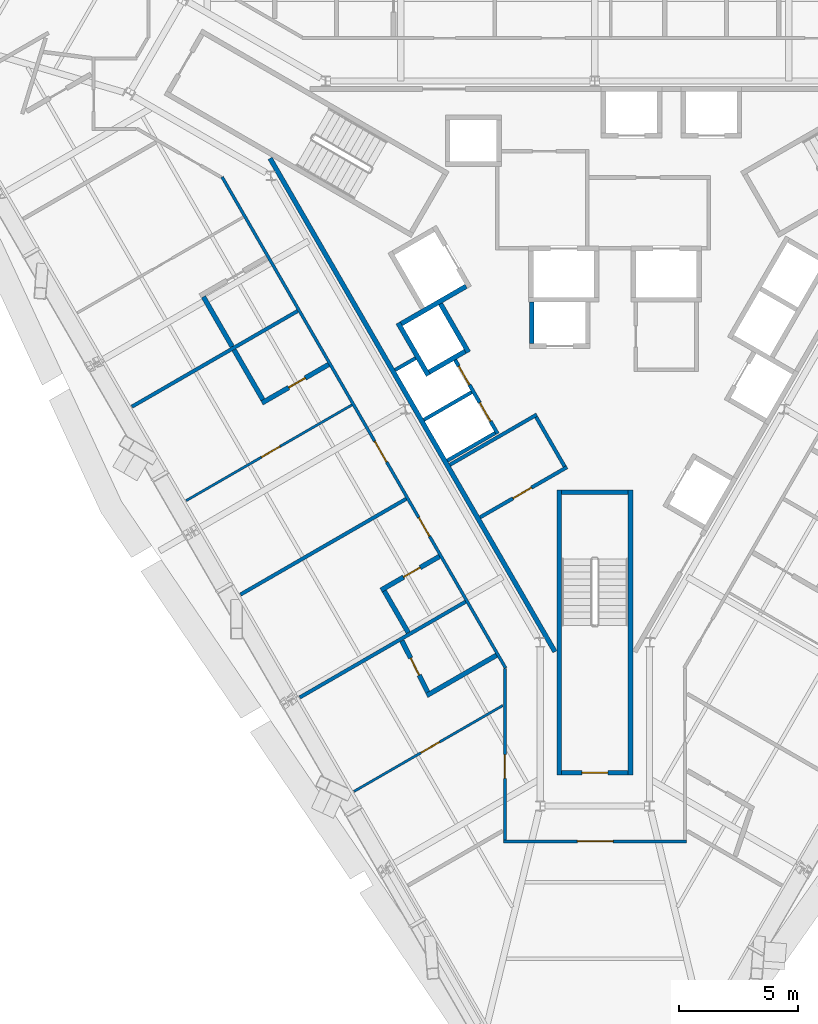
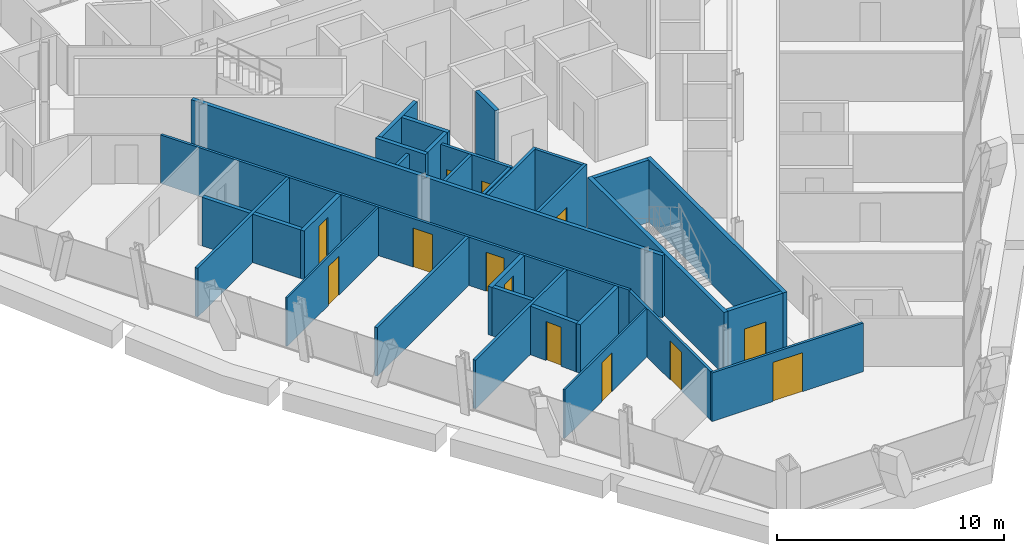
# One storey, part 8 of 14: 32 walls, 13 doors, 13 openings.
"""IFC4 building model written with IfcOpenShell, lengths in metres."""

from ifc_helpers import new_model, si_unit, direction, frame, frame_2d, origin, place, context, subcontext, project, spatial, rectangle, extrude, material, layer, layer_set, type_object, element, fill, save


model = new_model("IFC4")

# Units and contexts
model_context = context("Model", 3, precision=1e-05, world=origin(), true_north=direction((0.0, 1.0)))
body_context = subcontext(model_context, "Body", "Model", "MODEL_VIEW")
ifc_project = project(units=[si_unit("LENGTHUNIT", "METRE"), si_unit("AREAUNIT", "SQUARE_METRE"), si_unit("VOLUMEUNIT", "CUBIC_METRE"), si_unit("PLANEANGLEUNIT", "RADIAN"), si_unit("MASSUNIT", "GRAM", prefix="KILO")], contexts=[model_context])

# Site, building, storey
site_placement = place(None, origin())
site = spatial("IfcSite", under=ifc_project, at=site_placement, CompositionType="ELEMENT")
building_placement = place(site_placement, origin())
building = spatial("IfcBuilding", under=site, at=building_placement, Name="Verrane Prism Tower", CompositionType="ELEMENT")
storey_placement = place(building_placement, frame((0.0, 0.0, 128.800048828125)))
storey = spatial("IfcBuildingStorey", under=building, at=storey_placement, Name="L31", CompositionType="ELEMENT", Elevation=128.800048828125)

# Wall
ifc_material_1 = material(Name="Gypsum board partition", Category="other")
ifc_layer_1 = layer(ifc_material_1, 0.199951171875)
ifc_layer_set_1 = layer_set([ifc_layer_1], Name="CW-200 core boundary wall 2 h")
wall_type_1 = type_object("IfcWallType", Name="CW-200 core boundary wall 2 h", PredefinedType="PARTITIONING", material=ifc_layer_set_1)
wall_1_placement = place(storey_placement, frame((-13.66357421875, 5.946044921875, 0.0), z_axis=(0.0, 0.0, 1.0), x_axis=(0.499994327219, -0.866028678941, 0.0)))
element("IfcWall", 1, at=wall_1_placement, inside=storey, type_object=wall_type_1, Name="Core boundary wall CW3-001", PredefinedType="PARTITIONING", context=body_context, shape_type="SweptSolid", body=[
    extrude(rectangle(XDim=23.967529296875, YDim=0.199951171875, at=frame_2d((11.98388671875, 0.0))), origin(), (0.0, 0.0, 1.0), 3.349853515625),
])

# Wall, opening, door
ifc_material_2 = material(Name="Concrete C40/50", Category="concrete")
ifc_layer_2 = layer(ifc_material_2, 0.199951171875)
ifc_layer_set_2 = layer_set([ifc_layer_2], Name="CW-200 stair core wall concrete C40/50 3 h")
wall_type_2 = type_object("IfcWallType", Name="CW-200 stair core wall concrete C40/50 3 h", PredefinedType="PARTITIONING", material=ifc_layer_set_2)
wall_2_placement = place(storey_placement, frame((-1.39990234375, -19.89990234375, 0.0), z_axis=(0.0, 0.0, 1.0), x_axis=(1.0, 0.0, 0.0)))
wall_2 = element("IfcWall", 2, at=wall_2_placement, inside=storey, type_object=wall_type_2, Name="Stair 3 enclosure wall", PredefinedType="PARTITIONING", context=body_context, shape_type="SweptSolid", body=[
    extrude(rectangle(XDim=2.7998046875, YDim=0.199951171875, at=frame_2d((1.39990234375, 0.0))), origin(), (0.0, 0.0, 1.0), 3.349853515625),
])
opening_1_placement = place(wall_2_placement, frame((0.85009765625, 0.0, 0.0)))
opening_1 = element("IfcOpeningElement", 3, at=opening_1_placement, cuts=wall_2, Name="Opening D29502", PredefinedType="OPENING", context=body_context, shape_type="SweptSolid", body=[
    extrude(rectangle(XDim=1.10009765625, YDim=2.10009765625, at=frame_2d((0.550048828125, 1.050048828125))), frame((0.0, 0.10986328125, 0.0), z_axis=(0.0, -1.0, 0.0), x_axis=(1.0, 0.0, 0.0)), (0.0, 0.0, 1.0), 0.219970703125),
])
ifc_material_3 = material(Name="Timber veneered door leaf", Category="wood")
door_type_1 = type_object("IfcDoorType", Name="DR-1100x2100 FD90 single leaf stair", OperationType="NOTDEFINED", PredefinedType="DOOR", material=ifc_material_3)
door_1_placement = place(opening_1_placement, origin())
door_1 = element("IfcDoor", 4, at=door_1_placement, inside=storey, type_object=door_type_1, Name="Stair 3 door", OperationType="SINGLE_SWING_LEFT", OverallHeight=2.10009765625, OverallWidth=1.10009765625, PredefinedType="DOOR", context=body_context, shape_type="SweptSolid", body=[
    extrude(rectangle(XDim=1.10009765625, YDim=2.10009765625, at=frame_2d((0.550048828125, 1.050048828125))), frame((0.0, 0.02490234375, 0.0), z_axis=(0.0, -1.0, 0.0), x_axis=(1.0, 0.0, 0.0)), (0.0, 0.0, 1.0), 0.050048828125),
])
fill(opening_1, door_1)

# Walls
for number, where, z_axis, x_axis, name in (
    (5, (1.5, -8.0, 0.0), (0.0, 0.0, 1.0), (0.0, -1.0, 0.0), "Stair 3 enclosure wall"),
    (6, (-1.5, -8.0, 0.0), (0.0, 0.0, 1.0), (0.0, -1.0, 0.0), "Stair 3 enclosure wall"),
):
    element("IfcWall", number, at=place(storey_placement, frame(where, z_axis=z_axis, x_axis=x_axis)), inside=storey, type_object=wall_type_2, Name=name, PredefinedType="PARTITIONING", context=body_context, shape_type="SweptSolid", body=[
        extrude(rectangle(XDim=12.0, YDim=0.199951171875, at=frame_2d((6.0, 0.0))), origin(), (0.0, 0.0, 1.0), 3.349853515625),
    ])
wall_3_placement = place(storey_placement, frame((-1.39990234375, -8.10009765625, 0.0), z_axis=(0.0, 0.0, 1.0), x_axis=(1.0, 0.0, 0.0)))
element("IfcWall", 7, at=wall_3_placement, inside=storey, type_object=wall_type_2, Name="Stair 3 enclosure wall", PredefinedType="PARTITIONING", context=body_context, shape_type="SweptSolid", body=[
    extrude(rectangle(XDim=2.7998046875, YDim=0.199951171875, at=frame_2d((1.39990234375, 0.0))), origin(), (0.0, 0.0, 1.0), 3.349853515625),
])
ifc_material_4 = material(Name="Gypsum board shaft wall assembly", Category="other")
ifc_layer_3 = layer(ifc_material_4, 0.199951171875)
ifc_layer_set_3 = layer_set([ifc_layer_3], Name="HW-200 lift shaft wall 2 h")
wall_type_3 = type_object("IfcWallType", Name="HW-200 lift shaft wall 2 h", PredefinedType="PARTITIONING", material=ifc_layer_set_3)
wall_4_placement = place(storey_placement, frame((-6.9697265625, -3.048095703125, 0.0), z_axis=(0.0, 0.0, 1.0), x_axis=(0.866036909293, 0.499980071345, 0.0)))
element("IfcWall", 8, at=wall_4_placement, inside=storey, type_object=wall_type_3, Name="Lift shaft wall", PredefinedType="PARTITIONING", context=body_context, shape_type="SweptSolid", body=[
    extrude(rectangle(XDim=1.75, YDim=0.199951171875, at=frame_2d((0.875, 0.0))), origin(), (0.0, 0.0, 1.0), 3.599853515625),
])
wall_5_placement = place(storey_placement, frame((-8.14453125, -1.012939453125, 0.0), z_axis=(0.0, 0.0, 1.0), x_axis=(0.866016494683, 0.500015430699, 0.0)))
element("IfcWall", 9, at=wall_5_placement, inside=storey, type_object=wall_type_3, Name="Lift shaft wall", PredefinedType="PARTITIONING", context=body_context, shape_type="SweptSolid", body=[
    extrude(rectangle(XDim=3.14990234375, YDim=0.199951171875, at=frame_2d((1.574951171875, 0.0))), origin(), (0.0, 0.0, 1.0), 3.599853515625),
])
wall_6_placement = place(storey_placement, frame((-2.655029296875, -1.85009765625, 0.0), z_axis=(0.0, 0.0, 1.0), x_axis=(0.0, 1.0, 0.0)))
element("IfcWall", 10, at=wall_6_placement, inside=storey, type_object=wall_type_3, Name="Lift shaft wall", PredefinedType="PARTITIONING", context=body_context, shape_type="SweptSolid", body=[
    extrude(rectangle(XDim=1.75, YDim=0.199951171875, at=frame_2d((0.875, 0.0))), origin(), (0.0, 0.0, 1.0), 3.599853515625),
])
wall_7_placement = place(storey_placement, frame((-5.317626953125, -2.209716796875, 0.0), z_axis=(0.0, 0.0, 1.0), x_axis=(-0.499938297808, 0.866061024631, 0.0)))
element("IfcWall", 11, at=wall_7_placement, inside=storey, type_object=wall_type_3, Name="Lift shaft wall", PredefinedType="PARTITIONING", context=body_context, shape_type="SweptSolid", body=[
    extrude(rectangle(XDim=2.349853515625, YDim=0.199951171875, at=frame_2d((1.1748046875, 0.0))), origin(), (0.0, 0.0, 1.0), 3.599853515625),
])
wall_8_placement = place(storey_placement, frame((-7.00634765625, -3.184814453125, 0.0), z_axis=(0.0, 0.0, 1.0), x_axis=(-0.499990435942, 0.866030925526, 0.0)))
element("IfcWall", 12, at=wall_8_placement, inside=storey, type_object=wall_type_3, Name="Lift shaft wall", PredefinedType="PARTITIONING", context=body_context, shape_type="SweptSolid", body=[
    extrude(rectangle(XDim=2.5498046875, YDim=0.199951171875, at=frame_2d((1.27490234375, 0.0))), origin(), (0.0, 0.0, 1.0), 3.599853515625),
])

# Wall, opening, door
ifc_material_5 = material(Name="Gypsum board partition", Category="other")
ifc_layer_4 = layer(ifc_material_5, 0.10009765625)
ifc_layer_set_4 = layer_set([ifc_layer_4], Name="PW-100 room partition")
wall_type_4 = type_object("IfcWallType", Name="PW-100 room partition", PredefinedType="PARTITIONING", material=ifc_layer_set_4)
wall_9_placement = place(storey_placement, frame((-17.191650390625, -8.452880859375, 0.0), z_axis=(0.0, 0.0, 1.0), x_axis=(0.865999665789, 0.500044576866, 0.0)))
wall_9 = element("IfcWall", 13, at=wall_9_placement, inside=storey, type_object=wall_type_4, Name="Room partition 015", PredefinedType="PARTITIONING", context=body_context, shape_type="SweptSolid", body=[
    extrude(rectangle(XDim=8.047607421875, YDim=0.10009765625, at=frame_2d((4.02392578125, 0.0))), origin(), (0.0, 0.0, 1.0), 2.613037109375),
])
opening_2_placement = place(wall_9_placement, frame((3.65380859375, 0.0, 0.0)))
opening_2 = element("IfcOpeningElement", 14, at=opening_2_placement, cuts=wall_9, Name="Opening D29020", PredefinedType="OPENING", context=body_context, shape_type="SweptSolid", body=[
    extrude(rectangle(XDim=0.89990234375, YDim=2.10009765625, at=frame_2d((0.449951171875, 1.050048828125))), frame((0.0, 0.06005859375, 0.0), z_axis=(0.0, -1.0, 0.0), x_axis=(1.0, 0.0, 0.0)), (0.0, 0.0, 1.0), 0.1201171875),
])
ifc_material_6 = material(Name="Timber veneered door leaf", Category="wood")
door_type_2 = type_object("IfcDoorType", Name="DR-900x2100 single leaf inner", OperationType="NOTDEFINED", PredefinedType="DOOR", material=ifc_material_6)
door_2_placement = place(opening_2_placement, origin())
door_2 = element("IfcDoor", 15, at=door_2_placement, inside=storey, type_object=door_type_2, Name="Suite Living Room door", OperationType="SINGLE_SWING_RIGHT", OverallHeight=2.10009765625, OverallWidth=0.89990234375, PredefinedType="DOOR", context=body_context, shape_type="SweptSolid", body=[
    extrude(rectangle(XDim=0.89990234375, YDim=2.10009765625, at=frame_2d((0.449951171875, 1.050048828125))), frame((0.0, 0.02490234375, 0.0), z_axis=(0.0, -1.0, 0.0), x_axis=(1.0, 0.0, 0.0)), (0.0, 0.0, 1.0), 0.050048828125),
])
fill(opening_2, door_2)

wall_10_placement = place(storey_placement, frame((-10.1298828125, -20.68408203125, 0.0), z_axis=(0.0, 0.0, 1.0), x_axis=(0.866023480589, 0.500003331057, 0.0)))
wall_10 = element("IfcWall", 16, at=wall_10_placement, inside=storey, type_object=wall_type_4, Name="Room partition 031", PredefinedType="PARTITIONING", context=body_context, shape_type="SweptSolid", body=[
    extrude(rectangle(XDim=7.22314453125, YDim=0.10009765625, at=frame_2d((3.611572265625, 0.0))), origin(), (0.0, 0.0, 1.0), 2.613037109375),
])
opening_3_placement = place(wall_10_placement, frame((3.25390625, 0.0, 0.0)))
opening_3 = element("IfcOpeningElement", 17, at=opening_3_placement, cuts=wall_10, Name="Opening D29025", PredefinedType="OPENING", context=body_context, shape_type="SweptSolid", body=[
    extrude(rectangle(XDim=0.89990234375, YDim=2.10009765625, at=frame_2d((0.449951171875, 1.050048828125))), frame((0.0, 0.06005859375, 0.0), z_axis=(0.0, -1.0, 0.0), x_axis=(1.0, 0.0, 0.0)), (0.0, 0.0, 1.0), 0.1201171875),
])
door_3_placement = place(opening_3_placement, origin())
door_3 = element("IfcDoor", 18, at=door_3_placement, inside=storey, type_object=door_type_2, Name="Suite Living Room door", OperationType="SINGLE_SWING_LEFT", OverallHeight=2.10009765625, OverallWidth=0.89990234375, PredefinedType="DOOR", context=body_context, shape_type="SweptSolid", body=[
    extrude(rectangle(XDim=0.89990234375, YDim=2.10009765625, at=frame_2d((0.449951171875, 1.050048828125))), frame((0.0, 0.02490234375, 0.0), z_axis=(0.0, -1.0, 0.0), x_axis=(1.0, 0.0, 0.0)), (0.0, 0.0, 1.0), 0.050048828125),
])
fill(opening_3, door_3)

# Wall, openings, doors
ifc_material_7 = material(Name="Gypsum board partition", Category="other")
ifc_layer_5 = layer(ifc_material_7, 0.125)
ifc_layer_set_5 = layer_set([ifc_layer_5], Name="PW-125 corridor wall 1 h")
wall_type_5 = type_object("IfcWallType", Name="PW-125 corridor wall 1 h", PredefinedType="PARTITIONING", material=ifc_layer_set_5)
wall_11_placement = place(storey_placement, frame((-3.755859375, -15.494140625, 0.0), z_axis=(0.0, 0.0, 1.0), x_axis=(-0.500027787016, 0.866009360349, 0.0)))
wall_11 = element("IfcWall", 19, at=wall_11_placement, inside=storey, type_object=wall_type_5, Name="Corridor wall 021", PredefinedType="PARTITIONING", context=body_context, shape_type="SweptSolid", body=[
    extrude(rectangle(XDim=23.855712890625, YDim=0.125, at=frame_2d((11.927734375, 0.0))), origin(), (0.0, 0.0, 1.0), 2.613037109375),
])
opening_4_placement = place(wall_11_placement, frame((10.01611328125, 0.0, 0.0)))
opening_4 = element("IfcOpeningElement", 20, at=opening_4_placement, cuts=wall_11, Name="Opening D29019", PredefinedType="OPENING", context=body_context, shape_type="SweptSolid", body=[
    extrude(rectangle(XDim=1.0, YDim=2.10009765625, at=frame_2d((0.5, 1.050048828125))), frame((0.0, 0.072509765625, 0.0), z_axis=(0.0, -1.0, 0.0), x_axis=(1.0, 0.0, 0.0)), (0.0, 0.0, 1.0), 0.14501953125),
])
opening_5_placement = place(wall_11_placement, frame((6.402099609375, 0.0, 0.0)))
opening_5 = element("IfcOpeningElement", 21, at=opening_5_placement, cuts=wall_11, Name="Opening D29022", PredefinedType="OPENING", context=body_context, shape_type="SweptSolid", body=[
    extrude(rectangle(XDim=0.89990234375, YDim=2.10009765625, at=frame_2d((0.449951171875, 1.050048828125))), frame((0.0, 0.072509765625, 0.0), z_axis=(0.0, -1.0, 0.0), x_axis=(1.0, 0.0, 0.0)), (0.0, 0.0, 1.0), 0.14501953125),
])
ifc_material_8 = material(Name="Timber veneered door leaf", Category="wood")
door_type_3 = type_object("IfcDoorType", Name="DR-1000x2100 FD20 single leaf unit", OperationType="NOTDEFINED", PredefinedType="DOOR", material=ifc_material_8)
door_4_placement = place(opening_4_placement, origin())
door_4 = element("IfcDoor", 22, at=door_4_placement, inside=storey, type_object=door_type_3, Name="Suite Living Room door", OperationType="SINGLE_SWING_RIGHT", OverallHeight=2.10009765625, OverallWidth=1.0, PredefinedType="DOOR", context=body_context, shape_type="SweptSolid", body=[
    extrude(rectangle(XDim=1.0, YDim=2.10009765625, at=frame_2d((0.5, 1.050048828125))), frame((0.0, 0.02490234375, 0.0), z_axis=(0.0, -1.0, 0.0), x_axis=(1.0, 0.0, 0.0)), (0.0, 0.0, 1.0), 0.050048828125),
])
fill(opening_4, door_4)
ifc_material_9 = material(Name="Timber veneered door leaf", Category="wood")
door_type_4 = type_object("IfcDoorType", Name="DR-900x2100 FD20 single leaf unit", OperationType="NOTDEFINED", PredefinedType="DOOR", material=ifc_material_9)
door_5_placement = place(opening_5_placement, origin())
door_5 = element("IfcDoor", 23, at=door_5_placement, inside=storey, type_object=door_type_4, Name="Guest Room door", OperationType="SINGLE_SWING_LEFT", OverallHeight=2.10009765625, OverallWidth=0.89990234375, PredefinedType="DOOR", context=body_context, shape_type="SweptSolid", body=[
    extrude(rectangle(XDim=0.89990234375, YDim=2.10009765625, at=frame_2d((0.449951171875, 1.050048828125))), frame((0.0, 0.02490234375, 0.0), z_axis=(0.0, -1.0, 0.0), x_axis=(1.0, 0.0, 0.0)), (0.0, 0.0, 1.0), 0.050048828125),
])
fill(opening_5, door_5)

# Wall, opening, door
wall_12_placement = place(storey_placement, frame((-3.787109375, -22.721923828125, 0.0), z_axis=(0.0, 0.0, 1.0), x_axis=(0.0, 1.0, 0.0)))
wall_12 = element("IfcWall", 24, at=wall_12_placement, inside=storey, type_object=wall_type_5, Name="Corridor wall 039", PredefinedType="PARTITIONING", context=body_context, shape_type="SweptSolid", body=[
    extrude(rectangle(XDim=7.197021484375, YDim=0.125, at=frame_2d((3.5986328125, 0.0))), origin(), (0.0, 0.0, 1.0), 2.613037109375),
])
opening_6_placement = place(wall_12_placement, frame((2.580078125, 0.0, 0.0)))
opening_6 = element("IfcOpeningElement", 25, at=opening_6_placement, cuts=wall_12, Name="Opening D29024", PredefinedType="OPENING", context=body_context, shape_type="SweptSolid", body=[
    extrude(rectangle(XDim=1.0, YDim=2.10009765625, at=frame_2d((0.5, 1.050048828125))), frame((0.0, 0.072509765625, 0.0), z_axis=(0.0, -1.0, 0.0), x_axis=(1.0, 0.0, 0.0)), (0.0, 0.0, 1.0), 0.14501953125),
])
door_6_placement = place(opening_6_placement, origin())
door_6 = element("IfcDoor", 26, at=door_6_placement, inside=storey, type_object=door_type_3, Name="Suite Living Room door", OperationType="SINGLE_SWING_RIGHT", OverallHeight=2.10009765625, OverallWidth=1.0, PredefinedType="DOOR", context=body_context, shape_type="SweptSolid", body=[
    extrude(rectangle(XDim=1.0, YDim=2.10009765625, at=frame_2d((0.5, 1.050048828125))), frame((0.0, 0.02490234375, 0.0), z_axis=(0.0, -1.0, 0.0), x_axis=(1.0, 0.0, 0.0)), (0.0, 0.0, 1.0), 0.050048828125),
])
fill(opening_6, door_6)

wall_13_placement = place(storey_placement, frame((3.849609375, -22.787109375, 0.0), z_axis=(0.0, 0.0, 1.0), x_axis=(-1.0, 0.0, 0.0)))
wall_13 = element("IfcWall", 27, at=wall_13_placement, inside=storey, type_object=wall_type_5, Name="Corridor wall 040", PredefinedType="PARTITIONING", context=body_context, shape_type="SweptSolid", body=[
    extrude(rectangle(XDim=7.69921875, YDim=0.125, at=frame_2d((3.849609375, 0.0))), origin(), (0.0, 0.0, 1.0), 2.613037109375),
])
opening_7_placement = place(wall_13_placement, frame((3.08642578125, 0.0, 0.0)))
opening_7 = element("IfcOpeningElement", 28, at=opening_7_placement, cuts=wall_13, Name="Opening D29027", PredefinedType="OPENING", context=body_context, shape_type="SweptSolid", body=[
    extrude(rectangle(XDim=1.5, YDim=2.10009765625, at=frame_2d((0.75, 1.050048828125))), frame((0.0, 0.072509765625, 0.0), z_axis=(0.0, -1.0, 0.0), x_axis=(1.0, 0.0, 0.0)), (0.0, 0.0, 1.0), 0.14501953125),
])
ifc_material_10 = material(Name="Timber veneered door leaf", Category="wood")
door_type_5 = type_object("IfcDoorType", Name="DR-1500x2100 FD20 double leaf unit", OperationType="NOTDEFINED", PredefinedType="DOOR", material=ifc_material_10)
door_7_placement = place(opening_7_placement, origin())
door_7 = element("IfcDoor", 29, at=door_7_placement, inside=storey, type_object=door_type_5, Name="Kids Club door", OperationType="DOUBLE_DOOR_SINGLE_SWING", OverallHeight=2.10009765625, OverallWidth=1.5, PredefinedType="DOOR", context=body_context, shape_type="SweptSolid", body=[
    extrude(rectangle(XDim=1.5, YDim=2.10009765625, at=frame_2d((0.75, 1.050048828125))), frame((0.0, 0.02490234375, 0.0), z_axis=(0.0, -1.0, 0.0), x_axis=(1.0, 0.0, 0.0)), (0.0, 0.0, 1.0), 0.050048828125),
])
fill(opening_7, door_7)

# Walls
ifc_material_11 = material(Name="Gypsum board partition", Category="other")
ifc_layer_6 = layer(ifc_material_11, 0.14990234375)
ifc_layer_set_6 = layer_set([ifc_layer_6], Name="PW-150 demising wall 1 h")
wall_type_6 = type_object("IfcWallType", Name="PW-150 demising wall 1 h", PredefinedType="PARTITIONING", material=ifc_layer_set_6)
wall_14_placement = place(storey_placement, frame((-19.473388671875, -4.500732421875, 0.0), z_axis=(0.0, 0.0, 1.0), x_axis=(0.866005217449, 0.50003496213, 0.0)))
element("IfcWall", 30, at=wall_14_placement, inside=storey, type_object=wall_type_6, Name="Demising wall 010", PredefinedType="PARTITIONING", context=body_context, shape_type="SweptSolid", body=[
    extrude(rectangle(XDim=8.04736328125, YDim=0.14990234375, at=frame_2d((4.023681640625, 0.0))), origin(), (0.0, 0.0, 1.0), 2.613037109375),
])
wall_15_placement = place(storey_placement, frame((-14.90966796875, -12.405029296875, 0.0), z_axis=(0.0, 0.0, 1.0), x_axis=(0.866044217767, 0.499967411811, 0.0)))
element("IfcWall", 31, at=wall_15_placement, inside=storey, type_object=wall_type_6, Name="Demising wall 023", PredefinedType="PARTITIONING", context=body_context, shape_type="SweptSolid", body=[
    extrude(rectangle(XDim=8.05224609375, YDim=0.14990234375, at=frame_2d((4.026123046875, 0.0))), origin(), (0.0, 0.0, 1.0), 2.613037109375),
])
wall_16_placement = place(storey_placement, frame((-12.41162109375, -16.73193359375, 0.0), z_axis=(0.0, 0.0, 1.0), x_axis=(0.865997251595, 0.500048757853, 0.0)))
element("IfcWall", 32, at=wall_16_placement, inside=storey, type_object=wall_type_6, Name="Demising wall 027", PredefinedType="PARTITIONING", context=body_context, shape_type="SweptSolid", body=[
    extrude(rectangle(XDim=8.052490234375, YDim=0.14990234375, at=frame_2d((4.0263671875, 0.0))), origin(), (0.0, 0.0, 1.0), 2.613037109375),
])
ifc_material_12 = material(Name="Gypsum board partition", Category="other")
ifc_layer_7 = layer(ifc_material_12, 0.199951171875)
ifc_layer_set_7 = layer_set([ifc_layer_7], Name="PW-200 plumbing wall")
wall_type_7 = type_object("IfcWallType", Name="PW-200 plumbing wall", PredefinedType="PARTITIONING", material=ifc_layer_set_7)
wall_17_placement = place(storey_placement, frame((-16.467041015625, 0.121337890625, 0.0), z_axis=(0.0, 0.0, 1.0), x_axis=(0.499894243479, -0.866086453731, 0.0)))
element("IfcWall", 33, at=wall_17_placement, inside=storey, type_object=wall_type_7, Name="Plumbing wall 016", PredefinedType="PARTITIONING", context=body_context, shape_type="SweptSolid", body=[
    extrude(rectangle(XDim=2.41943359375, YDim=0.199951171875, at=frame_2d((1.209716796875, 0.0))), origin(), (0.0, 0.0, 1.0), 2.613037109375),
])
wall_18_placement = place(storey_placement, frame((-15.177490234375, -2.113037109375, 0.0), z_axis=(0.0, 0.0, 1.0), x_axis=(0.500196916118, -0.865911684357, 0.0)))
element("IfcWall", 34, at=wall_18_placement, inside=storey, type_object=wall_type_7, Name="Plumbing wall 022", PredefinedType="PARTITIONING", context=body_context, shape_type="SweptSolid", body=[
    extrude(rectangle(XDim=2.419921875, YDim=0.199951171875, at=frame_2d((1.2099609375, 0.0))), origin(), (0.0, 0.0, 1.0), 2.613037109375),
])

# Wall, opening, door
wall_19_placement = place(storey_placement, frame((-14.003662109375, -4.344970703125, 0.0), z_axis=(0.0, 0.0, 1.0), x_axis=(0.866016035791, 0.500016225489, 0.0)))
wall_19 = element("IfcWall", 35, at=wall_19_placement, inside=storey, type_object=wall_type_7, Name="Plumbing wall 024", PredefinedType="PARTITIONING", context=body_context, shape_type="SweptSolid", body=[
    extrude(rectangle(XDim=3.2373046875, YDim=0.199951171875, at=frame_2d((1.61865234375, 0.0))), origin(), (0.0, 0.0, 1.0), 2.613037109375),
])
opening_8_placement = place(wall_19_placement, frame((1.300048828125, 0.0, 0.0)))
opening_8 = element("IfcOpeningElement", 36, at=opening_8_placement, cuts=wall_19, Name="Opening D29021", PredefinedType="OPENING", context=body_context, shape_type="SweptSolid", body=[
    extrude(rectangle(XDim=0.800048828125, YDim=2.10009765625, at=frame_2d((0.39990234375, 1.050048828125))), frame((0.0, 0.10986328125, 0.0), z_axis=(0.0, -1.0, 0.0), x_axis=(1.0, 0.0, 0.0)), (0.0, 0.0, 1.0), 0.219970703125),
])
ifc_material_13 = material(Name="Timber veneered door leaf", Category="wood")
door_type_6 = type_object("IfcDoorType", Name="DR-800x2100 single leaf bath", OperationType="NOTDEFINED", PredefinedType="DOOR", material=ifc_material_13)
door_8_placement = place(opening_8_placement, origin())
door_8 = element("IfcDoor", 37, at=door_8_placement, inside=storey, type_object=door_type_6, Name="En-Suite door", OperationType="SINGLE_SWING_LEFT", OverallHeight=2.10009765625, OverallWidth=0.800048828125, PredefinedType="DOOR", context=body_context, shape_type="SweptSolid", body=[
    extrude(rectangle(XDim=0.800048828125, YDim=2.10009765625, at=frame_2d((0.39990234375, 1.050048828125))), frame((0.0, 0.02490234375, 0.0), z_axis=(0.0, -1.0, 0.0), x_axis=(1.0, 0.0, 0.0)), (0.0, 0.0, 1.0), 0.050048828125),
])
fill(opening_8, door_8)

# Wall
wall_20_placement = place(storey_placement, frame((-8.859130859375, -12.255615234375, 0.0), z_axis=(0.0, 0.0, 1.0), x_axis=(0.499868889286, -0.866101087359, 0.0)))
element("IfcWall", 38, at=wall_20_placement, inside=storey, type_object=wall_type_7, Name="Plumbing wall 032", PredefinedType="PARTITIONING", context=body_context, shape_type="SweptSolid", body=[
    extrude(rectangle(XDim=2.0205078125, YDim=0.199951171875, at=frame_2d((1.01025390625, 0.0))), origin(), (0.0, 0.0, 1.0), 2.613037109375),
])

# Wall, opening, door
wall_21_placement = place(storey_placement, frame((-6.5380859375, -10.80029296875, 0.0), z_axis=(0.0, 0.0, 1.0), x_axis=(-0.866048046904, -0.499960778915, 0.0)))
wall_21 = element("IfcWall", 39, at=wall_21_placement, inside=storey, type_object=wall_type_7, Name="Plumbing wall 033", PredefinedType="PARTITIONING", context=body_context, shape_type="SweptSolid", body=[
    extrude(rectangle(XDim=2.837646484375, YDim=0.199951171875, at=frame_2d((1.4189453125, 0.0))), origin(), (0.0, 0.0, 1.0), 2.613037109375),
])
opening_9_placement = place(wall_21_placement, frame((0.9375, 0.0, 0.0)))
opening_9 = element("IfcOpeningElement", 40, at=opening_9_placement, cuts=wall_21, Name="Opening D29023", PredefinedType="OPENING", context=body_context, shape_type="SweptSolid", body=[
    extrude(rectangle(XDim=0.800048828125, YDim=2.10009765625, at=frame_2d((0.39990234375, 1.050048828125))), frame((0.0, 0.10986328125, 0.0), z_axis=(0.0, -1.0, 0.0), x_axis=(1.0, 0.0, 0.0)), (0.0, 0.0, 1.0), 0.219970703125),
])
door_9_placement = place(opening_9_placement, origin())
door_9 = element("IfcDoor", 41, at=door_9_placement, inside=storey, type_object=door_type_6, Name="En-Suite door", OperationType="SINGLE_SWING_RIGHT", OverallHeight=2.10009765625, OverallWidth=0.800048828125, PredefinedType="DOOR", context=body_context, shape_type="SweptSolid", body=[
    extrude(rectangle(XDim=0.800048828125, YDim=2.10009765625, at=frame_2d((0.39990234375, 1.050048828125))), frame((0.0, 0.02490234375, 0.0), z_axis=(0.0, -1.0, 0.0), x_axis=(1.0, 0.0, 0.0)), (0.0, 0.0, 1.0), 0.050048828125),
])
fill(opening_9, door_9)

wall_22_placement = place(storey_placement, frame((-8.11865234375, -14.347412109375, 0.0), z_axis=(0.0, 0.0, 1.0), x_axis=(0.448586498331, -0.893739421484, 0.0)))
wall_22 = element("IfcWall", 42, at=wall_22_placement, inside=storey, type_object=wall_type_7, Name="Plumbing wall 035", PredefinedType="PARTITIONING", context=body_context, shape_type="SweptSolid", body=[
    extrude(rectangle(XDim=2.41748046875, YDim=0.199951171875, at=frame_2d((1.208740234375, 0.0))), origin(), (0.0, 0.0, 1.0), 2.613037109375),
])
opening_10_placement = place(wall_22_placement, frame((0.819091796875, 0.0, 0.0)))
opening_10 = element("IfcOpeningElement", 43, at=opening_10_placement, cuts=wall_22, Name="Opening D29026", PredefinedType="OPENING", context=body_context, shape_type="SweptSolid", body=[
    extrude(rectangle(XDim=0.800048828125, YDim=2.10009765625, at=frame_2d((0.39990234375, 1.050048828125))), frame((0.0, 0.10986328125, 0.0), z_axis=(0.0, -1.0, 0.0), x_axis=(1.0, 0.0, 0.0)), (0.0, 0.0, 1.0), 0.219970703125),
])
door_10_placement = place(opening_10_placement, origin())
door_10 = element("IfcDoor", 44, at=door_10_placement, inside=storey, type_object=door_type_6, Name="En-Suite door", OperationType="SINGLE_SWING_RIGHT", OverallHeight=2.10009765625, OverallWidth=0.800048828125, PredefinedType="DOOR", context=body_context, shape_type="SweptSolid", body=[
    extrude(rectangle(XDim=0.800048828125, YDim=2.10009765625, at=frame_2d((0.39990234375, 1.050048828125))), frame((0.0, 0.02490234375, 0.0), z_axis=(0.0, -1.0, 0.0), x_axis=(1.0, 0.0, 0.0)), (0.0, 0.0, 1.0), 0.050048828125),
])
fill(opening_10, door_10)

# Walls
wall_23_placement = place(storey_placement, frame((-7.073486328125, -16.652099609375, 0.0), z_axis=(0.0, 0.0, 1.0), x_axis=(0.866009256036, 0.500027967679, 0.0)))
element("IfcWall", 45, at=wall_23_placement, inside=storey, type_object=wall_type_7, Name="Plumbing wall 037", PredefinedType="PARTITIONING", context=body_context, shape_type="SweptSolid", body=[
    extrude(rectangle(XDim=3.389404296875, YDim=0.199951171875, at=frame_2d((1.69482421875, 0.0))), origin(), (0.0, 0.0, 1.0), 2.613037109375),
])
ifc_material_14 = material(Name="Gypsum board partition", Category="other")
ifc_layer_8 = layer(ifc_material_14, 0.14990234375)
ifc_layer_set_8 = layer_set([ifc_layer_8], Name="RS-150 riser enclosure wall 1 h")
wall_type_8 = type_object("IfcWallType", Name="RS-150 riser enclosure wall 1 h", PredefinedType="PARTITIONING", material=ifc_layer_set_8)
wall_24_placement = place(storey_placement, frame((-8.402099609375, -2.95751953125, 0.0), z_axis=(0.0, 0.0, 1.0), x_axis=(0.866025935826, 0.499999078476, 0.0)))
element("IfcWall", 46, at=wall_24_placement, inside=storey, type_object=wall_type_8, Name="Riser wall RS3-001", PredefinedType="PARTITIONING", context=body_context, shape_type="SweptSolid", body=[
    extrude(rectangle(XDim=0.9931640625, YDim=0.14990234375, at=frame_2d((0.49658203125, 0.0))), origin(), (0.0, 0.0, 1.0), 3.349853515625),
])
wall_25_placement = place(storey_placement, frame((-7.192138671875, -5.053466796875, 0.0), z_axis=(0.0, 0.0, 1.0), x_axis=(0.865851878631, 0.500300434011, 0.0)))
element("IfcWall", 47, at=wall_25_placement, inside=storey, type_object=wall_type_8, Name="Riser wall RS3-002", PredefinedType="PARTITIONING", context=body_context, shape_type="SweptSolid", body=[
    extrude(rectangle(XDim=2.3154296875, YDim=0.14990234375, at=frame_2d((1.15771484375, 0.0))), origin(), (0.0, 0.0, 1.0), 3.349853515625),
])
wall_26_placement = place(storey_placement, frame((-6.206298828125, -6.77001953125, 0.0), z_axis=(0.0, 0.0, 1.0), x_axis=(0.865998469481, 0.500046648681, 0.0)))
element("IfcWall", 48, at=wall_26_placement, inside=storey, type_object=wall_type_8, Name="Riser wall RS3-003", PredefinedType="PARTITIONING", context=body_context, shape_type="SweptSolid", body=[
    extrude(rectangle(XDim=2.324951171875, YDim=0.14990234375, at=frame_2d((1.16259765625, 0.0))), origin(), (0.0, 0.0, 1.0), 3.349853515625),
])
wall_27_placement = place(storey_placement, frame((-6.10009765625, -6.945556640625, 0.0), z_axis=(0.0, 0.0, 1.0), x_axis=(0.866038200431, 0.499977834903, 0.0)))
element("IfcWall", 49, at=wall_27_placement, inside=storey, type_object=wall_type_8, Name="Riser wall RS3-004", PredefinedType="PARTITIONING", context=body_context, shape_type="SweptSolid", body=[
    extrude(rectangle(XDim=4.220458984375, YDim=0.14990234375, at=frame_2d((2.1103515625, 0.0))), origin(), (0.0, 0.0, 1.0), 3.349853515625),
])

# Wall, openings, doors
wall_28_placement = place(storey_placement, frame((-4.090576171875, -5.635009765625, 0.0), z_axis=(0.0, 0.0, 1.0), x_axis=(-0.499948934428, 0.866054884499, 0.0)))
wall_28 = element("IfcWall", 50, at=wall_28_placement, inside=storey, type_object=wall_type_8, Name="Riser wall RS3-005", PredefinedType="PARTITIONING", context=body_context, shape_type="SweptSolid", body=[
    extrude(rectangle(XDim=3.576904296875, YDim=0.14990234375, at=frame_2d((1.78857421875, 0.0))), origin(), (0.0, 0.0, 1.0), 3.349853515625),
])
opening_11_placement = place(wall_28_placement, frame((2.377197265625, 0.0, 0.0)))
opening_11 = element("IfcOpeningElement", 51, at=opening_11_placement, cuts=wall_28, Name="Opening D29512", PredefinedType="OPENING", context=body_context, shape_type="SweptSolid", body=[
    extrude(rectangle(XDim=0.89990234375, YDim=2.10009765625, at=frame_2d((0.449951171875, 1.050048828125))), frame((0.0, 0.0849609375, 0.0), z_axis=(0.0, -1.0, 0.0), x_axis=(1.0, 0.0, 0.0)), (0.0, 0.0, 1.0), 0.169921875),
])
opening_12_placement = place(wall_28_placement, frame((0.605224609375, 0.0, 0.0)))
opening_12 = element("IfcOpeningElement", 52, at=opening_12_placement, cuts=wall_28, Name="Opening D29513", PredefinedType="OPENING", context=body_context, shape_type="SweptSolid", body=[
    extrude(rectangle(XDim=0.89990234375, YDim=2.10009765625, at=frame_2d((0.449951171875, 1.050048828125))), frame((0.0, 0.0849609375, 0.0), z_axis=(0.0, -1.0, 0.0), x_axis=(1.0, 0.0, 0.0)), (0.0, 0.0, 1.0), 0.169921875),
])
ifc_material_15 = material(Name="Timber veneered door leaf", Category="wood")
door_type_7 = type_object("IfcDoorType", Name="DR-900x2100 FD60 single leaf riser", OperationType="NOTDEFINED", PredefinedType="DOOR", material=ifc_material_15)
door_11_placement = place(opening_11_placement, origin())
door_11 = element("IfcDoor", 53, at=door_11_placement, inside=storey, type_object=door_type_7, Name="Riser door D29512", OperationType="SINGLE_SWING_RIGHT", OverallHeight=2.10009765625, OverallWidth=0.89990234375, PredefinedType="DOOR", context=body_context, shape_type="SweptSolid", body=[
    extrude(rectangle(XDim=0.89990234375, YDim=2.10009765625, at=frame_2d((0.449951171875, 1.050048828125))), frame((0.0, 0.02490234375, 0.0), z_axis=(0.0, -1.0, 0.0), x_axis=(1.0, 0.0, 0.0)), (0.0, 0.0, 1.0), 0.050048828125),
])
fill(opening_11, door_11)
door_12_placement = place(opening_12_placement, origin())
door_12 = element("IfcDoor", 54, at=door_12_placement, inside=storey, type_object=door_type_7, Name="Riser door D29513", OperationType="SINGLE_SWING_LEFT", OverallHeight=2.10009765625, OverallWidth=0.89990234375, PredefinedType="DOOR", context=body_context, shape_type="SweptSolid", body=[
    extrude(rectangle(XDim=0.89990234375, YDim=2.10009765625, at=frame_2d((0.449951171875, 1.050048828125))), frame((0.0, 0.02490234375, 0.0), z_axis=(0.0, -1.0, 0.0), x_axis=(1.0, 0.0, 0.0)), (0.0, 0.0, 1.0), 0.050048828125),
])
fill(opening_12, door_12)

# Wall, opening, door
wall_29_placement = place(storey_placement, frame((-4.824951171875, -9.153564453125, 0.0), z_axis=(0.0, 0.0, 1.0), x_axis=(0.866023738697, 0.500002884005, 0.0)))
wall_29 = element("IfcWall", 55, at=wall_29_placement, inside=storey, type_object=wall_type_8, Name="Riser wall RS3-006", PredefinedType="PARTITIONING", context=body_context, shape_type="SweptSolid", body=[
    extrude(rectangle(XDim=4.22021484375, YDim=0.14990234375, at=frame_2d((2.110107421875, 0.0))), origin(), (0.0, 0.0, 1.0), 3.349853515625),
])
opening_13_placement = place(wall_29_placement, frame((1.594970703125, 0.0, 0.0)))
opening_13 = element("IfcOpeningElement", 56, at=opening_13_placement, cuts=wall_29, Name="Opening D29514", PredefinedType="OPENING", context=body_context, shape_type="SweptSolid", body=[
    extrude(rectangle(XDim=0.89990234375, YDim=2.10009765625, at=frame_2d((0.449951171875, 1.050048828125))), frame((0.0, 0.0849609375, 0.0), z_axis=(0.0, -1.0, 0.0), x_axis=(1.0, 0.0, 0.0)), (0.0, 0.0, 1.0), 0.169921875),
])
ifc_material_16 = material(Name="Timber veneered door leaf", Category="wood")
door_type_8 = type_object("IfcDoorType", Name="DR-900x2100 FD20 single leaf store", OperationType="NOTDEFINED", PredefinedType="DOOR", material=ifc_material_16)
door_13_placement = place(opening_13_placement, origin())
door_13 = element("IfcDoor", 57, at=door_13_placement, inside=storey, type_object=door_type_8, Name="Room door D29514", OperationType="SINGLE_SWING_LEFT", OverallHeight=2.10009765625, OverallWidth=0.89990234375, PredefinedType="DOOR", context=body_context, shape_type="SweptSolid", body=[
    extrude(rectangle(XDim=0.89990234375, YDim=2.10009765625, at=frame_2d((0.449951171875, 1.050048828125))), frame((0.0, 0.02490234375, 0.0), z_axis=(0.0, -1.0, 0.0), x_axis=(1.0, 0.0, 0.0)), (0.0, 0.0, 1.0), 0.050048828125),
])
fill(opening_13, door_13)

# Wall
wall_30_placement = place(storey_placement, frame((-2.472412109375, -4.93798828125, 0.0), z_axis=(0.0, 0.0, 1.0), x_axis=(0.500045362686, -0.865999212041, 0.0)))
element("IfcWall", 58, at=wall_30_placement, inside=storey, type_object=wall_type_8, Name="Riser wall RS3-007", PredefinedType="PARTITIONING", context=body_context, shape_type="SweptSolid", body=[
    extrude(rectangle(XDim=2.399658203125, YDim=0.14990234375, at=frame_2d((1.19970703125, 0.0))), origin(), (0.0, 0.0, 1.0), 3.349853515625),
])

save(model, "model.ifc")
